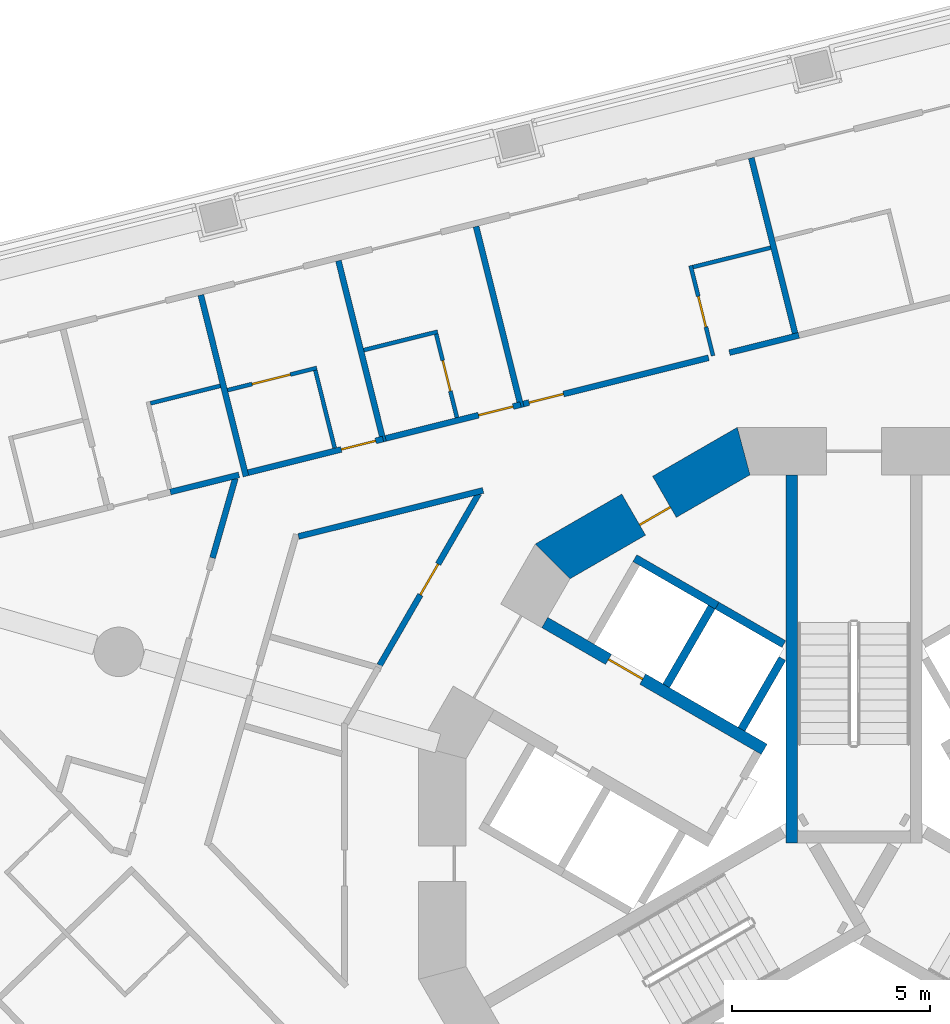
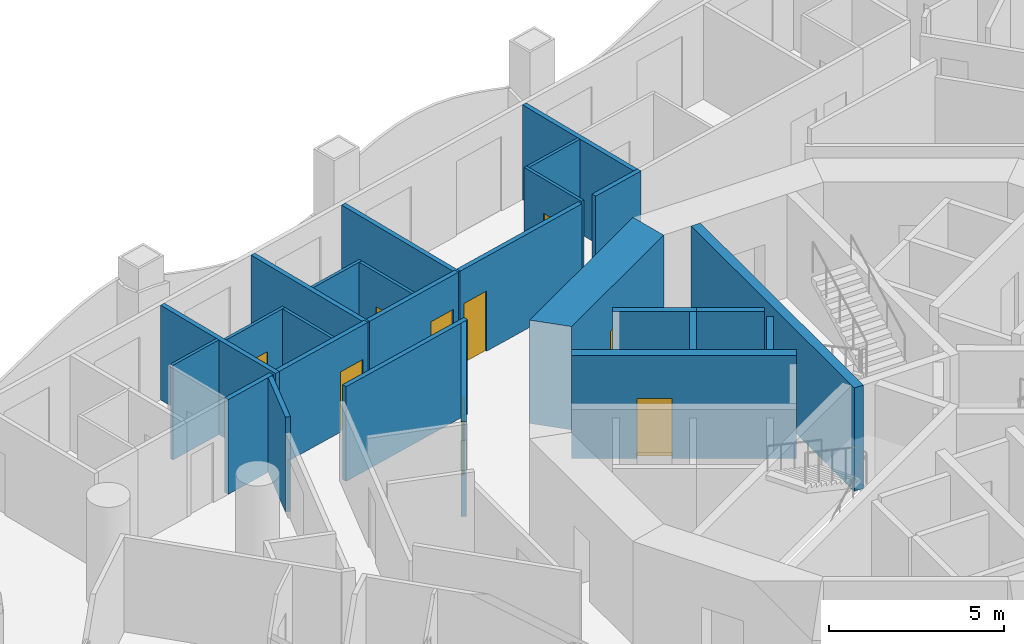
# One storey, part 7 of 18: 26 walls, 9 doors, 9 openings.
"""IFC4 building model written with IfcOpenShell, lengths in metres."""

from ifc_helpers import new_model, si_unit, direction, frame, frame_2d, origin, place, context, subcontext, project, spatial, polyline, rectangle, outline, extrude, material, layer, layer_set, type_object, element, fill, save


model = new_model("IFC4")

# Units and contexts
model_context = context("Model", 3, precision=1e-05, world=origin(), true_north=direction((0.0, 1.0)))
body_context = subcontext(model_context, "Body", "Model", "MODEL_VIEW")
ifc_project = project(units=[si_unit("LENGTHUNIT", "METRE"), si_unit("AREAUNIT", "SQUARE_METRE"), si_unit("VOLUMEUNIT", "CUBIC_METRE"), si_unit("PLANEANGLEUNIT", "RADIAN"), si_unit("MASSUNIT", "GRAM", prefix="KILO")], contexts=[model_context])

# Site, building, storey
site_placement = place(None, origin())
site = spatial("IfcSite", under=ifc_project, at=site_placement, CompositionType="ELEMENT")
building_placement = place(site_placement, origin())
building = spatial("IfcBuilding", under=site, at=building_placement, Name="Trine Commons Tower", CompositionType="ELEMENT")
storey_placement = place(building_placement, frame((0.0, 0.0, 90.89990234375)))
storey = spatial("IfcBuildingStorey", under=building, at=storey_placement, Name="L22", CompositionType="ELEMENT", Elevation=90.89990234375)

# Wall, opening, door
ifc_material_1 = material(Name="Concrete C70/85", Category="concrete")
ifc_layer_1 = layer(ifc_material_1, 1.199951171875)
ifc_layer_set_1 = layer_set([ifc_layer_1], Name="Concrete C70/85")
wall_type_1 = type_object("IfcWallType", Name="RC shear wall 1200 mm, C70/85", PredefinedType="SHEAR", material=ifc_layer_set_1)
wall_1_placement = place(storey_placement, frame((77.349609375, 72.991943359375, 0.0), z_axis=(0.0, 0.0, 1.0), x_axis=(-0.866037463336, -0.499979111662, 0.0)))
wall_1 = element("IfcWall", 1, at=wall_1_placement, inside=storey, type_object=wall_type_1, Name="Core wall CWC-05 L22", PredefinedType="SHEAR", context=body_context, shape_type="SweptSolid", body=[
    extrude(outline(polyline([(0.0, -0.60009765625), (5.901123046875, -0.60009765625), (5.57958984375, 0.60009765625), (0.321533203125, 0.60009765625), (0.0, -0.60009765625)])), origin(), (0.0, 0.0, 1.0), 3.60009765625),
])
opening_1_placement = place(wall_1_placement, frame((2.474853515625, 0.0, 0.0)))
opening_1 = element("IfcOpeningElement", 2, at=opening_1_placement, cuts=wall_1, Name="Opening K05.12", PredefinedType="OPENING", context=body_context, shape_type="SweptSolid", body=[
    extrude(rectangle(XDim=0.89990234375, YDim=2.10009765625, at=frame_2d((0.449951171875, 1.050048828125))), frame((0.0, 0.60986328125, 0.0), z_axis=(0.0, -1.0, 0.0), x_axis=(1.0, 0.0, 0.0)), (0.0, 0.0, 1.0), 1.219970703125),
])
ifc_material_2 = material(Name="Steel door leaf, fire-rated", Category="steel")
door_type_1 = type_object("IfcDoorType", Name="Core room door, single leaf 900 x 2100, FD30S", OperationType="SINGLE_SWING_LEFT", PredefinedType="DOOR", material=ifc_material_2)
door_1_placement = place(opening_1_placement, origin())
door_1 = element("IfcDoor", 3, at=door_1_placement, inside=storey, type_object=door_type_1, Name="Door to Accessible WC L22", OperationType="SINGLE_SWING_LEFT", OverallHeight=2.10009765625, OverallWidth=0.89990234375, PredefinedType="DOOR", context=body_context, shape_type="SweptSolid", body=[
    extrude(rectangle(XDim=0.89990234375, YDim=2.10009765625, at=frame_2d((0.449951171875, 1.050048828125))), frame((0.0, 0.3251953125, 0.0), z_axis=(0.0, -1.0, 0.0), x_axis=(1.0, 0.0, 0.0)), (0.0, 0.0, 1.0), 0.050048828125),
])
fill(opening_1, door_1)

ifc_layer_2 = layer(ifc_material_1, 0.300048828125)
ifc_layer_set_2 = layer_set([ifc_layer_2], Name="Concrete C70/85")
wall_type_2 = type_object("IfcWallType", Name="RC shear wall 300 mm, C70/85", PredefinedType="SHEAR", material=ifc_layer_set_2)
wall_2_placement = place(storey_placement, frame((77.73095703125, 65.368896484375, 0.0), z_axis=(0.0, 0.0, 1.0), x_axis=(-0.866022631842, 0.500004801114, 0.0)))
wall_2 = element("IfcWall", 4, at=wall_2_placement, inside=storey, type_object=wall_type_2, Name="Core cross wall SWA-02 L22", PredefinedType="SHEAR", context=body_context, shape_type="SweptSolid", body=[
    extrude(rectangle(XDim=6.412109375, YDim=0.300048828125, at=frame_2d((3.2060546875, 0.0))), origin(), (0.0, 0.0, 1.0), 3.60009765625),
])
opening_2_placement = place(wall_2_placement, frame((3.55029296875, 0.0, 0.0)))
opening_2 = element("IfcOpeningElement", 5, at=opening_2_placement, cuts=wall_2, Name="Opening LD4", PredefinedType="OPENING", context=body_context, shape_type="SweptSolid", body=[
    extrude(rectangle(XDim=1.0, YDim=2.10009765625, at=frame_2d((0.5, 1.050048828125))), frame((0.0, 0.159912109375, 0.0), z_axis=(0.0, -1.0, 0.0), x_axis=(1.0, 0.0, 0.0)), (0.0, 0.0, 1.0), 0.320068359375),
])
ifc_material_3 = material(Name="Stainless steel sliding door leaves", Category="steel")
door_type_2 = type_object("IfcDoorType", Name="Lift landing door, centre-opening sliding 1000 x 2100, FD90", OperationType="DOUBLE_DOOR_SLIDING", PredefinedType="DOOR", material=ifc_material_3)
door_2_placement = place(opening_2_placement, origin())
door_2 = element("IfcDoor", 6, at=door_2_placement, inside=storey, type_object=door_type_2, Name="Lift landing door LR4 L22", OperationType="DOUBLE_DOOR_SLIDING", OverallHeight=2.10009765625, OverallWidth=1.0, PredefinedType="DOOR", context=body_context, shape_type="SweptSolid", body=[
    extrude(rectangle(XDim=1.0, YDim=2.10009765625, at=frame_2d((0.5, 1.050048828125))), frame((0.0, 0.02490234375, 0.0), z_axis=(0.0, -1.0, 0.0), x_axis=(1.0, 0.0, 0.0)), (0.0, 0.0, 1.0), 0.050048828125),
])
fill(opening_2, door_2)

# Walls
wall_3_placement = place(storey_placement, frame((78.425048828125, 63.0009765625, 0.0), z_axis=(0.0, 0.0, 1.0), x_axis=(0.0, 1.0, 0.0)))
element("IfcWall", 7, at=wall_3_placement, inside=storey, type_object=wall_type_2, Name="Core cross wall SWA-08 L22", PredefinedType="SHEAR", context=body_context, shape_type="SweptSolid", body=[
    extrude(rectangle(XDim=9.31103515625, YDim=0.300048828125, at=frame_2d((4.655517578125, 0.0))), origin(), (0.0, 0.0, 1.0), 3.60009765625),
])
ifc_material_4 = material(Name="Fire-rated gypsum shaft wall system")
ifc_layer_3 = layer(ifc_material_4, 0.199951171875)
ifc_layer_set_3 = layer_set([ifc_layer_3], Name="Fire-rated gypsum shaft wall system")
wall_type_3 = type_object("IfcWallType", Name="Shaft wall 200 mm, EI 120", PredefinedType="PARTITIONING", material=ifc_layer_set_3)
wall_4_placement = place(storey_placement, frame((75.2509765625, 66.97412109375, 0.0), z_axis=(0.0, 0.0, 1.0), x_axis=(0.500136062276, 0.86594683394, 0.0)))
element("IfcWall", 8, at=wall_4_placement, inside=storey, type_object=wall_type_3, Name="Shaft wall L22", PredefinedType="PARTITIONING", context=body_context, shape_type="SweptSolid", body=[
    extrude(rectangle(XDim=2.299072265625, YDim=0.199951171875, at=frame_2d((1.1494140625, 0.0))), origin(), (0.0, 0.0, 1.0), 3.300048828125),
])
wall_5_placement = place(storey_placement, frame((76.5380859375, 69.001953125, 0.0), z_axis=(0.0, 0.0, 1.0), x_axis=(-0.866202511239, 0.499693115345, 0.0)))
element("IfcWall", 9, at=wall_5_placement, inside=storey, type_object=wall_type_3, Name="Shaft wall L22", PredefinedType="PARTITIONING", context=body_context, shape_type="SweptSolid", body=[
    extrude(rectangle(XDim=2.4013671875, YDim=0.199951171875, at=frame_2d((1.20068359375, 0.0))), origin(), (0.0, 0.0, 1.0), 3.300048828125),
])
wall_6_placement = place(storey_placement, frame((77.156005859375, 65.8740234375, 0.0), z_axis=(0.0, 0.0, 1.0), x_axis=(0.499865770674, 0.866102887253, 0.0)))
element("IfcWall", 10, at=wall_6_placement, inside=storey, type_object=wall_type_3, Name="Shaft wall L22", PredefinedType="PARTITIONING", context=body_context, shape_type="SweptSolid", body=[
    extrude(rectangle(XDim=2.064453125, YDim=0.199951171875, at=frame_2d((1.0322265625, 0.0))), origin(), (0.0, 0.0, 1.0), 3.300048828125),
])
wall_7_placement = place(storey_placement, frame((78.22509765625, 68.028076171875, 0.0), z_axis=(0.0, 0.0, 1.0), x_axis=(-0.866052014814, 0.499953905513, 0.0)))
element("IfcWall", 11, at=wall_7_placement, inside=storey, type_object=wall_type_3, Name="Shaft wall L22", PredefinedType="PARTITIONING", context=body_context, shape_type="SweptSolid", body=[
    extrude(rectangle(XDim=1.947998046875, YDim=0.199951171875, at=frame_2d((0.97412109375, 0.0))), origin(), (0.0, 0.0, 1.0), 3.300048828125),
])
ifc_material_5 = material(Name="Gypsum plasterboard on steel stud", Category="steel")
ifc_layer_4 = layer(ifc_material_5, 0.14990234375)
ifc_layer_set_4 = layer_set([ifc_layer_4], Name="Gypsum plasterboard on steel stud")
wall_type_4 = type_object("IfcWallType", Name="Unit and corridor wall 150 mm, EI 60", PredefinedType="PARTITIONING", material=ifc_layer_set_4)
wall_8_placement = place(storey_placement, frame((62.705078125, 71.8759765625, 0.0), z_axis=(0.0, 0.0, 1.0), x_axis=(0.970318656337, 0.241829909573, 0.0)))
element("IfcWall", 12, at=wall_8_placement, inside=storey, type_object=wall_type_4, Name="Partition 022", PredefinedType="PARTITIONING", context=body_context, shape_type="SweptSolid", body=[
    extrude(rectangle(XDim=1.791015625, YDim=0.14990234375, at=frame_2d((0.8955078125, 0.0))), origin(), (0.0, 0.0, 1.0), 3.300048828125),
])
wall_9_placement = place(storey_placement, frame((63.476806640625, 76.858154296875, 0.0), z_axis=(0.0, 0.0, 1.0), x_axis=(0.242049130854, -0.970263994103, 0.0)))
element("IfcWall", 13, at=wall_9_placement, inside=storey, type_object=wall_type_4, Name="Partition 024", PredefinedType="PARTITIONING", context=body_context, shape_type="SweptSolid", body=[
    extrude(rectangle(XDim=4.723388671875, YDim=0.14990234375, at=frame_2d((2.36181640625, 0.0))), origin(), (0.0, 0.0, 1.0), 3.300048828125),
])
wall_10_placement = place(storey_placement, frame((63.77392578125, 70.2099609375, 0.0), z_axis=(0.0, 0.0, 1.0), x_axis=(0.275353680299, 0.961342993289, 0.0)))
element("IfcWall", 14, at=wall_10_placement, inside=storey, type_object=wall_type_4, Name="Partition 027", PredefinedType="PARTITIONING", context=body_context, shape_type="SweptSolid", body=[
    extrude(rectangle(XDim=2.08984375, YDim=0.14990234375, at=frame_2d((1.044921875, 0.0))), origin(), (0.0, 0.0, 1.0), 3.300048828125),
])

# Wall, opening, door
wall_11_placement = place(storey_placement, frame((64.6708984375, 72.3662109375, 0.0), z_axis=(0.0, 0.0, 1.0), x_axis=(0.97035426046, 0.241687006697, 0.0)))
wall_11 = element("IfcWall", 15, at=wall_11_placement, inside=storey, type_object=wall_type_4, Name="Partition 030", PredefinedType="PARTITIONING", context=body_context, shape_type="SweptSolid", body=[
    extrude(rectangle(XDim=3.520263671875, YDim=0.14990234375, at=frame_2d((1.76025390625, 0.0))), origin(), (0.0, 0.0, 1.0), 3.300048828125),
])
opening_3_placement = place(wall_11_placement, frame((2.429931640625, 0.0, 0.0)))
opening_3 = element("IfcOpeningElement", 16, at=opening_3_placement, cuts=wall_11, Name="Opening D-3A09", PredefinedType="OPENING", context=body_context, shape_type="SweptSolid", body=[
    extrude(rectangle(XDim=0.89990234375, YDim=2.10009765625, at=frame_2d((0.449951171875, 1.050048828125))), frame((0.0, 0.0849609375, 0.0), z_axis=(0.0, -1.0, 0.0), x_axis=(1.0, 0.0, 0.0)), (0.0, 0.0, 1.0), 0.169921875),
])
ifc_material_6 = material(Name="Timber fire door set", Category="wood")
door_type_3 = type_object("IfcDoorType", Name="Bedroom door 900 x 2100, FD30S", OperationType="NOTDEFINED", PredefinedType="DOOR", material=ifc_material_6)
door_3_placement = place(opening_3_placement, origin())
door_3 = element("IfcDoor", 17, at=door_3_placement, inside=storey, type_object=door_type_3, Name="Door D-3A09", OperationType="SINGLE_SWING_RIGHT", OverallHeight=2.10009765625, OverallWidth=0.89990234375, PredefinedType="DOOR", context=body_context, shape_type="SweptSolid", body=[
    extrude(rectangle(XDim=0.89990234375, YDim=2.10009765625, at=frame_2d((0.449951171875, 1.050048828125))), frame((0.0, 0.02490234375, 0.0), z_axis=(0.0, -1.0, 0.0), x_axis=(1.0, 0.0, 0.0)), (0.0, 0.0, 1.0), 0.050048828125),
])
fill(opening_3, door_3)

# Walls
wall_12_placement = place(storey_placement, frame((65.94677734375, 70.751220703125, 0.0), z_axis=(0.0, 0.0, 1.0), x_axis=(0.970300367674, 0.241903279206, 0.0)))
element("IfcWall", 18, at=wall_12_placement, inside=storey, type_object=wall_type_4, Name="Partition 032", PredefinedType="PARTITIONING", context=body_context, shape_type="SweptSolid", body=[
    extrude(rectangle(XDim=4.815185546875, YDim=0.14990234375, at=frame_2d((2.40771484375, 0.0))), origin(), (0.0, 0.0, 1.0), 3.300048828125),
])
wall_13_placement = place(storey_placement, frame((66.958740234375, 77.726318359375, 0.0), z_axis=(0.0, 0.0, 1.0), x_axis=(0.24185448203, -0.970312531879, 0.0)))
element("IfcWall", 19, at=wall_13_placement, inside=storey, type_object=wall_type_4, Name="Partition 035", PredefinedType="PARTITIONING", context=body_context, shape_type="SweptSolid", body=[
    extrude(rectangle(XDim=4.72314453125, YDim=0.14990234375, at=frame_2d((2.361572265625, 0.0))), origin(), (0.0, 0.0, 1.0), 3.300048828125),
])

# Wall, opening, door
wall_14_placement = place(storey_placement, frame((68.00244140625, 67.493896484375, 0.0), z_axis=(0.0, 0.0, 1.0), x_axis=(0.499945814907, 0.866056685303, 0.0)))
wall_14 = element("IfcWall", 20, at=wall_14_placement, inside=storey, type_object=wall_type_4, Name="Partition 039", PredefinedType="PARTITIONING", context=body_context, shape_type="SweptSolid", body=[
    extrude(rectangle(XDim=5.0146484375, YDim=0.14990234375, at=frame_2d((2.50732421875, 0.0))), origin(), (0.0, 0.0, 1.0), 3.300048828125),
])
opening_4_placement = place(wall_14_placement, frame((2.057373046875, 0.0, 0.0)))
opening_4 = element("IfcOpeningElement", 21, at=opening_4_placement, cuts=wall_14, Name="Opening D-3A33", PredefinedType="OPENING", context=body_context, shape_type="SweptSolid", body=[
    extrude(rectangle(XDim=0.89990234375, YDim=2.10009765625, at=frame_2d((0.449951171875, 1.050048828125))), frame((0.0, 0.0849609375, 0.0), z_axis=(0.0, -1.0, 0.0), x_axis=(1.0, 0.0, 0.0)), (0.0, 0.0, 1.0), 0.169921875),
])
door_type_4 = type_object("IfcDoorType", Name="Service door 900 x 2100, FD30S", OperationType="NOTDEFINED", PredefinedType="DOOR", material=ifc_material_6)
door_4_placement = place(opening_4_placement, origin())
door_4 = element("IfcDoor", 22, at=door_4_placement, inside=storey, type_object=door_type_4, Name="Door D-3A33", OperationType="SINGLE_SWING_LEFT", OverallHeight=2.10009765625, OverallWidth=0.89990234375, PredefinedType="DOOR", context=body_context, shape_type="SweptSolid", body=[
    extrude(rectangle(XDim=0.89990234375, YDim=2.10009765625, at=frame_2d((0.449951171875, 1.050048828125))), frame((0.0, 0.02490234375, 0.0), z_axis=(0.0, -1.0, 0.0), x_axis=(1.0, 0.0, 0.0)), (0.0, 0.0, 1.0), 0.050048828125),
])
fill(opening_4, door_4)

wall_15_placement = place(storey_placement, frame((68.15185546875, 73.233154296875, 0.0), z_axis=(0.0, 0.0, 1.0), x_axis=(0.970244352723, 0.242127850544, 0.0)))
wall_15 = element("IfcWall", 23, at=wall_15_placement, inside=storey, type_object=wall_type_4, Name="Partition 040", PredefinedType="PARTITIONING", context=body_context, shape_type="SweptSolid", body=[
    extrude(rectangle(XDim=3.52197265625, YDim=0.14990234375, at=frame_2d((1.760986328125, 0.0))), origin(), (0.0, 0.0, 1.0), 3.300048828125),
])
opening_5_placement = place(wall_15_placement, frame((2.424072265625, 0.0, 0.0)))
opening_5 = element("IfcOpeningElement", 24, at=opening_5_placement, cuts=wall_15, Name="Opening D-3A10", PredefinedType="OPENING", context=body_context, shape_type="SweptSolid", body=[
    extrude(rectangle(XDim=0.89990234375, YDim=2.10009765625, at=frame_2d((0.449951171875, 1.050048828125))), frame((0.0, 0.0849609375, 0.0), z_axis=(0.0, -1.0, 0.0), x_axis=(1.0, 0.0, 0.0)), (0.0, 0.0, 1.0), 0.169921875),
])
door_5_placement = place(opening_5_placement, origin())
door_5 = element("IfcDoor", 25, at=door_5_placement, inside=storey, type_object=door_type_3, Name="Door D-3A10", OperationType="SINGLE_SWING_RIGHT", OverallHeight=2.10009765625, OverallWidth=0.89990234375, PredefinedType="DOOR", context=body_context, shape_type="SweptSolid", body=[
    extrude(rectangle(XDim=0.89990234375, YDim=2.10009765625, at=frame_2d((0.449951171875, 1.050048828125))), frame((0.0, 0.02490234375, 0.0), z_axis=(0.0, -1.0, 0.0), x_axis=(1.0, 0.0, 0.0)), (0.0, 0.0, 1.0), 0.050048828125),
])
fill(opening_5, door_5)

# Wall
wall_16_placement = place(storey_placement, frame((70.440673828125, 78.59423828125, 0.0), z_axis=(0.0, 0.0, 1.0), x_axis=(0.241903012142, -0.970300434256, 0.0)))
element("IfcWall", 26, at=wall_16_placement, inside=storey, type_object=wall_type_4, Name="Partition 047", PredefinedType="PARTITIONING", context=body_context, shape_type="SweptSolid", body=[
    extrude(rectangle(XDim=4.72216796875, YDim=0.14990234375, at=frame_2d((2.361083984375, 0.0))), origin(), (0.0, 0.0, 1.0), 3.300048828125),
])

# Wall, opening, door
wall_17_placement = place(storey_placement, frame((71.6337890625, 74.10205078125, 0.0), z_axis=(0.0, 0.0, 1.0), x_axis=(0.9702938954, 0.241929238722, 0.0)))
wall_17 = element("IfcWall", 27, at=wall_17_placement, inside=storey, type_object=wall_type_4, Name="Partition 050", PredefinedType="PARTITIONING", context=body_context, shape_type="SweptSolid", body=[
    extrude(rectangle(XDim=4.831787109375, YDim=0.14990234375, at=frame_2d((2.416015625, 0.0))), origin(), (0.0, 0.0, 1.0), 3.300048828125),
])
opening_6_placement = place(wall_17_placement, frame((0.14990234375, 0.0, 0.0)))
opening_6 = element("IfcOpeningElement", 28, at=opening_6_placement, cuts=wall_17, Name="Opening D-3A11", PredefinedType="OPENING", context=body_context, shape_type="SweptSolid", body=[
    extrude(rectangle(XDim=0.89990234375, YDim=2.10009765625, at=frame_2d((0.449951171875, 1.050048828125))), frame((0.0, 0.0849609375, 0.0), z_axis=(0.0, -1.0, 0.0), x_axis=(1.0, 0.0, 0.0)), (0.0, 0.0, 1.0), 0.169921875),
])
door_6_placement = place(opening_6_placement, origin())
door_6 = element("IfcDoor", 29, at=door_6_placement, inside=storey, type_object=door_type_3, Name="Door D-3A11", OperationType="SINGLE_SWING_LEFT", OverallHeight=2.10009765625, OverallWidth=0.89990234375, PredefinedType="DOOR", context=body_context, shape_type="SweptSolid", body=[
    extrude(rectangle(XDim=0.89990234375, YDim=2.10009765625, at=frame_2d((0.449951171875, 1.050048828125))), frame((0.0, 0.02490234375, 0.0), z_axis=(0.0, -1.0, 0.0), x_axis=(1.0, 0.0, 0.0)), (0.0, 0.0, 1.0), 0.050048828125),
])
fill(opening_6, door_6)

# Walls
wall_18_placement = place(storey_placement, frame((76.84912109375, 75.402099609375, 0.0), z_axis=(0.0, 0.0, 1.0), x_axis=(0.97026143667, 0.242059382198, 0.0)))
element("IfcWall", 30, at=wall_18_placement, inside=storey, type_object=wall_type_4, Name="Partition 059", PredefinedType="PARTITIONING", context=body_context, shape_type="SweptSolid", body=[
    extrude(rectangle(XDim=1.809326171875, YDim=0.14990234375, at=frame_2d((0.90478515625, 0.0))), origin(), (0.0, 0.0, 1.0), 3.300048828125),
])
wall_19_placement = place(storey_placement, frame((77.40380859375, 80.330078125, 0.0), z_axis=(0.0, 0.0, 1.0), x_axis=(0.241945064156, -0.970289949412, 0.0)))
element("IfcWall", 31, at=wall_19_placement, inside=storey, type_object=wall_type_4, Name="Partition 060", PredefinedType="PARTITIONING", context=body_context, shape_type="SweptSolid", body=[
    extrude(rectangle(XDim=4.572021484375, YDim=0.14990234375, at=frame_2d((2.2861328125, 0.0))), origin(), (0.0, 0.0, 1.0), 3.300048828125),
])
ifc_layer_5 = layer(ifc_material_5, 0.10009765625)
ifc_layer_set_5 = layer_set([ifc_layer_5], Name="Gypsum plasterboard on steel stud")
wall_type_5 = type_object("IfcWallType", Name="Unit partition 100 mm, no rating", PredefinedType="PARTITIONING", material=ifc_layer_set_5)
wall_20_placement = place(storey_placement, frame((62.201416015625, 74.1201171875, 0.0), z_axis=(0.0, 0.0, 1.0), x_axis=(0.970276128406, 0.242000484804, 0.0)))
element("IfcWall", 32, at=wall_20_placement, inside=storey, type_object=wall_type_5, Name="Partition 021", PredefinedType="PARTITIONING", context=body_context, shape_type="SweptSolid", body=[
    extrude(rectangle(XDim=1.824951171875, YDim=0.10009765625, at=frame_2d((0.91259765625, 0.0))), origin(), (0.0, 0.0, 1.0), 3.300048828125),
])

# Wall, opening, door
wall_21_placement = place(storey_placement, frame((64.15380859375, 74.453125, 0.0), z_axis=(0.0, 0.0, 1.0), x_axis=(0.970358256462, 0.241670962499, 0.0)))
wall_21 = element("IfcWall", 33, at=wall_21_placement, inside=storey, type_object=wall_type_5, Name="Partition 028", PredefinedType="PARTITIONING", context=body_context, shape_type="SweptSolid", body=[
    extrude(rectangle(XDim=2.325439453125, YDim=0.10009765625, at=frame_2d((1.16259765625, 0.0))), origin(), (0.0, 0.0, 1.0), 3.300048828125),
])
opening_7_placement = place(wall_21_placement, frame((0.6376953125, 0.0, 0.0)))
opening_7 = element("IfcOpeningElement", 34, at=opening_7_placement, cuts=wall_21, Name="Opening D-3A38", PredefinedType="OPENING", context=body_context, shape_type="SweptSolid", body=[
    extrude(rectangle(XDim=1.0, YDim=2.10009765625, at=frame_2d((0.5, 1.050048828125))), frame((0.0, 0.06005859375, 0.0), z_axis=(0.0, -1.0, 0.0), x_axis=(1.0, 0.0, 0.0)), (0.0, 0.0, 1.0), 0.1201171875),
])
ifc_material_7 = material(Name="Painted timber", Category="wood")
door_type_5 = type_object("IfcDoorType", Name="Internal door 1000 x 2100, NOT RATED", OperationType="NOTDEFINED", PredefinedType="DOOR", material=ifc_material_7)
door_7_placement = place(opening_7_placement, origin())
door_7 = element("IfcDoor", 35, at=door_7_placement, inside=storey, type_object=door_type_5, Name="Door D-3A38", OperationType="SINGLE_SWING_LEFT", OverallHeight=2.10009765625, OverallWidth=1.0, PredefinedType="DOOR", context=body_context, shape_type="SweptSolid", body=[
    extrude(rectangle(XDim=1.0, YDim=2.10009765625, at=frame_2d((0.5, 1.050048828125))), frame((0.0, 0.02490234375, 0.0), z_axis=(0.0, -1.0, 0.0), x_axis=(1.0, 0.0, 0.0)), (0.0, 0.0, 1.0), 0.050048828125),
])
fill(opening_7, door_7)

# Walls
wall_22_placement = place(storey_placement, frame((66.3740234375, 74.95458984375, 0.0), z_axis=(0.0, 0.0, 1.0), x_axis=(0.241968232274, -0.97028417207, 0.0)))
element("IfcWall", 36, at=wall_22_placement, inside=storey, type_object=wall_type_5, Name="Partition 033", PredefinedType="PARTITIONING", context=body_context, shape_type="SweptSolid", body=[
    extrude(rectangle(XDim=2.02490234375, YDim=0.10009765625, at=frame_2d((1.012451171875, 0.0))), origin(), (0.0, 0.0, 1.0), 3.300048828125),
])
wall_23_placement = place(storey_placement, frame((67.599853515625, 75.46630859375, 0.0), z_axis=(0.0, 0.0, 1.0), x_axis=(0.970276645771, 0.241998410475, 0.0)))
element("IfcWall", 37, at=wall_23_placement, inside=storey, type_object=wall_type_5, Name="Partition 038", PredefinedType="PARTITIONING", context=body_context, shape_type="SweptSolid", body=[
    extrude(rectangle(XDim=1.9248046875, YDim=0.10009765625, at=frame_2d((0.96240234375, 0.0))), origin(), (0.0, 0.0, 1.0), 3.300048828125),
])

# Wall, opening, door
wall_24_placement = place(storey_placement, frame((69.43115234375, 75.87158203125, 0.0), z_axis=(0.0, 0.0, 1.0), x_axis=(0.241637657135, -0.970366550668, 0.0)))
wall_24 = element("IfcWall", 38, at=wall_24_placement, inside=storey, type_object=wall_type_5, Name="Partition 044", PredefinedType="PARTITIONING", context=body_context, shape_type="SweptSolid", body=[
    extrude(rectangle(XDim=2.17529296875, YDim=0.10009765625, at=frame_2d((1.087646484375, 0.0))), origin(), (0.0, 0.0, 1.0), 3.300048828125),
])
opening_8_placement = place(wall_24_placement, frame((0.6875, 0.0, 0.0)))
opening_8 = element("IfcOpeningElement", 39, at=opening_8_placement, cuts=wall_24, Name="Opening D-3A39", PredefinedType="OPENING", context=body_context, shape_type="SweptSolid", body=[
    extrude(rectangle(XDim=0.800048828125, YDim=2.10009765625, at=frame_2d((0.39990234375, 1.050048828125))), frame((0.0, 0.06005859375, 0.0), z_axis=(0.0, -1.0, 0.0), x_axis=(1.0, 0.0, 0.0)), (0.0, 0.0, 1.0), 0.1201171875),
])
door_type_6 = type_object("IfcDoorType", Name="Internal door 800 x 2100, NOT RATED", OperationType="NOTDEFINED", PredefinedType="DOOR", material=ifc_material_7)
door_8_placement = place(opening_8_placement, origin())
door_8 = element("IfcDoor", 40, at=door_8_placement, inside=storey, type_object=door_type_6, Name="Door D-3A39", OperationType="SINGLE_SWING_RIGHT", OverallHeight=2.10009765625, OverallWidth=0.800048828125, PredefinedType="DOOR", context=body_context, shape_type="SweptSolid", body=[
    extrude(rectangle(XDim=0.800048828125, YDim=2.10009765625, at=frame_2d((0.39990234375, 1.050048828125))), frame((0.0, 0.02490234375, 0.0), z_axis=(0.0, -1.0, 0.0), x_axis=(1.0, 0.0, 0.0)), (0.0, 0.0, 1.0), 0.050048828125),
])
fill(opening_8, door_8)

wall_25_placement = place(storey_placement, frame((75.867919921875, 77.603515625, 0.0), z_axis=(0.0, 0.0, 1.0), x_axis=(0.241728942951, -0.970343814398, 0.0)))
wall_25 = element("IfcWall", 41, at=wall_25_placement, inside=storey, type_object=wall_type_5, Name="Partition 053", PredefinedType="PARTITIONING", context=body_context, shape_type="SweptSolid", body=[
    extrude(rectangle(XDim=2.35009765625, YDim=0.10009765625, at=frame_2d((1.175048828125, 0.0))), origin(), (0.0, 0.0, 1.0), 3.300048828125),
])
opening_9_placement = place(wall_25_placement, frame((0.800048828125, 0.0, 0.0)))
opening_9 = element("IfcOpeningElement", 42, at=opening_9_placement, cuts=wall_25, Name="Opening D-3A40", PredefinedType="OPENING", context=body_context, shape_type="SweptSolid", body=[
    extrude(rectangle(XDim=0.800048828125, YDim=2.10009765625, at=frame_2d((0.39990234375, 1.050048828125))), frame((0.0, 0.06005859375, 0.0), z_axis=(0.0, -1.0, 0.0), x_axis=(1.0, 0.0, 0.0)), (0.0, 0.0, 1.0), 0.1201171875),
])
door_9_placement = place(opening_9_placement, frame((0.800048828125, 0.0, 0.0), z_axis=(0.0, 0.0, 1.0), x_axis=(-1.0, 0.0, 0.0)))
door_9 = element("IfcDoor", 43, at=door_9_placement, inside=storey, type_object=door_type_6, Name="Door D-3A40", OperationType="SINGLE_SWING_LEFT", OverallHeight=2.10009765625, OverallWidth=0.800048828125, PredefinedType="DOOR", context=body_context, shape_type="SweptSolid", body=[
    extrude(rectangle(XDim=0.800048828125, YDim=2.10009765625, at=frame_2d((0.39990234375, 1.050048828125))), frame((0.0, 0.02490234375, 0.0), z_axis=(0.0, -1.0, 0.0), x_axis=(1.0, 0.0, 0.0)), (0.0, 0.0, 1.0), 0.050048828125),
])
fill(opening_9, door_9)

# Wall
wall_26_placement = place(storey_placement, frame((75.928466796875, 77.567138671875, 0.0), z_axis=(0.0, 0.0, 1.0), x_axis=(0.97031247159, 0.241854723908, 0.0)))
element("IfcWall", 44, at=wall_26_placement, inside=storey, type_object=wall_type_5, Name="Partition 054", PredefinedType="PARTITIONING", context=body_context, shape_type="SweptSolid", body=[
    extrude(rectangle(XDim=2.02490234375, YDim=0.10009765625, at=frame_2d((1.012451171875, 0.0))), origin(), (0.0, 0.0, 1.0), 3.300048828125),
])

save(model, "model.ifc")
